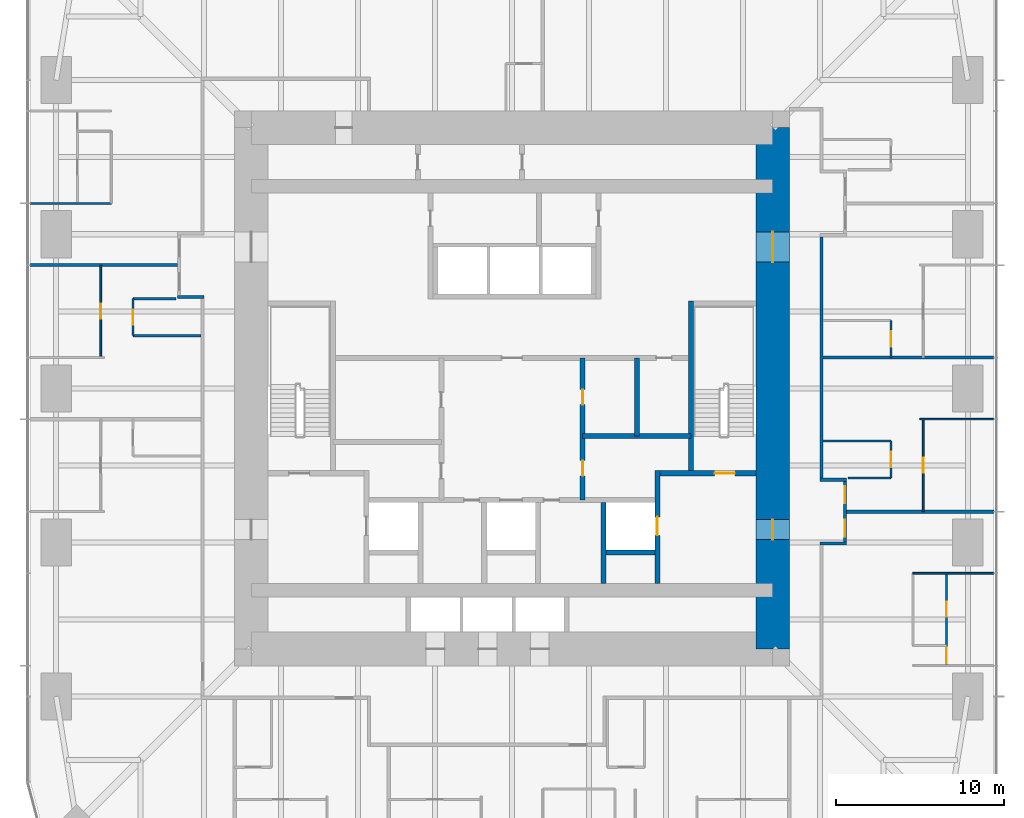
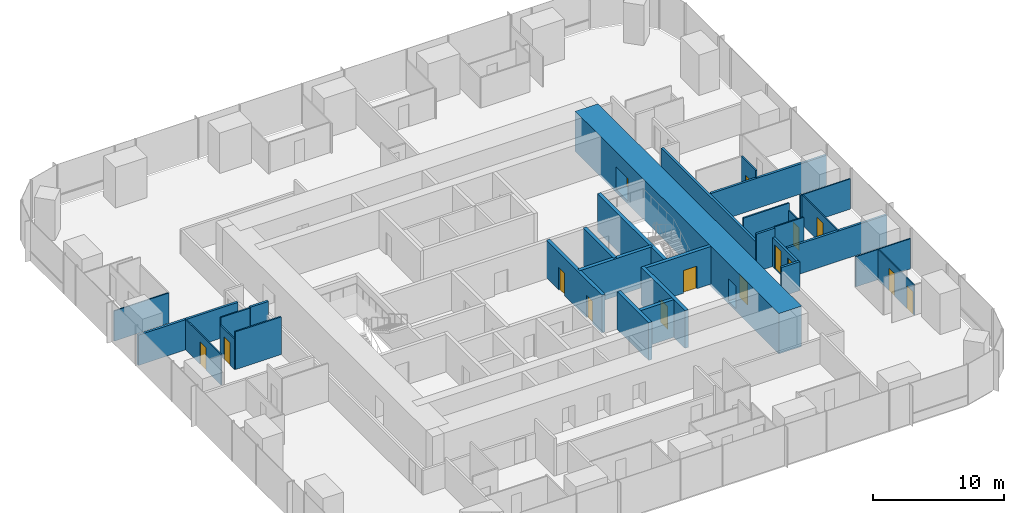
# One storey, part 10 of 13: 30 walls, 15 doors, 15 openings.
"""IFC4 building model written with IfcOpenShell, lengths in metres."""

from ifc_helpers import new_model, si_unit, direction, frame, frame_2d, origin, place, context, subcontext, project, spatial, rectangle, extrude, material, layer, layer_set, type_object, element, fill, save


model = new_model("IFC4")

# Units and contexts
model_context = context("Model", 3, precision=1e-05, world=origin(), true_north=direction((0.0, 1.0)))
body_context = subcontext(model_context, "Body", "Model", "MODEL_VIEW")
ifc_project = project(units=[si_unit("LENGTHUNIT", "METRE"), si_unit("AREAUNIT", "SQUARE_METRE"), si_unit("VOLUMEUNIT", "CUBIC_METRE"), si_unit("PLANEANGLEUNIT", "RADIAN"), si_unit("MASSUNIT", "GRAM", prefix="KILO")], contexts=[model_context])

# Site, building, storey
site_placement = place(None, origin())
site = spatial("IfcSite", under=ifc_project, at=site_placement, CompositionType="ELEMENT")
building_placement = place(site_placement, origin())
building = spatial("IfcBuilding", under=site, at=building_placement, Name="Khuree Lantern Residences", CompositionType="ELEMENT")
storey_placement = place(building_placement, frame((0.0, 0.0, 141.0)))
storey = spatial("IfcBuildingStorey", under=building, at=storey_placement, Name="L35", CompositionType="ELEMENT", Elevation=141.0)

# Wall, opening, door
ifc_material_1 = material(Name="Moisture-resistant gypsum board on steel studs", Category="steel")
ifc_layer_1 = layer(ifc_material_1, 0.125)
ifc_layer_set_1 = layer_set([ifc_layer_1], Name="BATHROOM WALL BTW125")
wall_type_1 = type_object("IfcWallType", Name="BATHROOM WALL BTW125", PredefinedType="PARTITIONING", material=ifc_layer_set_1)
wall_1_placement = place(storey_placement, frame((22.52978515625, -5.327880859375, 0.0), z_axis=(0.0, 0.0, 1.0), x_axis=(0.0, 1.0, 0.0)))
wall_1 = element("IfcWall", 1, at=wall_1_placement, inside=storey, type_object=wall_type_1, Name="L35 BATHROOM WALL 01", PredefinedType="PARTITIONING", context=body_context, shape_type="SweptSolid", body=[
    extrude(rectangle(XDim=2.199951171875, YDim=0.125, at=frame_2d((1.10009765625, 0.0))), origin(), (0.0, 0.0, 1.0), 2.81005859375),
])
opening_1_placement = place(wall_1_placement, frame((0.64990234375, 0.0, 0.0)))
opening_1 = element("IfcOpeningElement", 2, at=opening_1_placement, cuts=wall_1, Name="Opening 35-027", PredefinedType="OPENING", context=body_context, shape_type="SweptSolid", body=[
    extrude(rectangle(XDim=0.89990234375, YDim=2.10009765625, at=frame_2d((0.449951171875, 1.050048828125))), frame((0.0, 0.072509765625, 0.0), z_axis=(0.0, -1.0, 0.0), x_axis=(1.0, 0.0, 0.0)), (0.0, 0.0, 1.0), 0.14501953125),
])
ifc_material_2 = material(Name="Timber door leaf in hardwood frame", Category="wood")
door_type_1 = type_object("IfcDoorType", Name="BATHROOM DOOR 900X2100", OperationType="SINGLE_SWING_LEFT", PredefinedType="DOOR", material=ifc_material_2)
door_1_placement = place(opening_1_placement, origin())
door_1 = element("IfcDoor", 3, at=door_1_placement, inside=storey, type_object=door_type_1, Name="Bathroom door 35-027", OperationType="SINGLE_SWING_LEFT", OverallHeight=2.10009765625, OverallWidth=0.89990234375, PredefinedType="DOOR", context=body_context, shape_type="SweptSolid", body=[
    extrude(rectangle(XDim=0.89990234375, YDim=2.10009765625, at=frame_2d((0.449951171875, 1.050048828125))), frame((0.0, 0.02490234375, 0.0), z_axis=(0.0, -1.0, 0.0), x_axis=(1.0, 0.0, 0.0)), (0.0, 0.0, 1.0), 0.050048828125),
])
fill(opening_1, door_1)

# Walls
wall_2_placement = place(storey_placement, frame((19.969970703125, -5.327880859375, 0.0), z_axis=(0.0, 0.0, 1.0), x_axis=(1.0, 0.0, 0.0)))
element("IfcWall", 4, at=wall_2_placement, inside=storey, type_object=wall_type_1, Name="L35 BATHROOM WALL 01", PredefinedType="PARTITIONING", context=body_context, shape_type="SweptSolid", body=[
    extrude(rectangle(XDim=2.559814453125, YDim=0.125, at=frame_2d((1.27978515625, 0.0))), origin(), (0.0, 0.0, 1.0), 3.5),
])
wall_3_placement = place(storey_placement, frame((18.5, -3.1279296875, 0.0), z_axis=(0.0, 0.0, 1.0), x_axis=(1.0, 0.0, 0.0)))
element("IfcWall", 5, at=wall_3_placement, inside=storey, type_object=wall_type_1, Name="L35 BATHROOM WALL 01", PredefinedType="PARTITIONING", context=body_context, shape_type="SweptSolid", body=[
    extrude(rectangle(XDim=4.02978515625, YDim=0.125, at=frame_2d((2.014892578125, 0.0))), origin(), (0.0, 0.0, 1.0), 3.5),
])

# Wall, opening, door
wall_4_placement = place(storey_placement, frame((22.52978515625, 1.83203125, 0.0), z_axis=(0.0, 0.0, 1.0), x_axis=(0.0, 1.0, 0.0)))
wall_4 = element("IfcWall", 6, at=wall_4_placement, inside=storey, type_object=wall_type_1, Name="L35 BATHROOM WALL 02", PredefinedType="PARTITIONING", context=body_context, shape_type="SweptSolid", body=[
    extrude(rectangle(XDim=2.199951171875, YDim=0.125, at=frame_2d((1.10009765625, 0.0))), origin(), (0.0, 0.0, 1.0), 3.5),
])
opening_2_placement = place(wall_4_placement, frame((0.64990234375, 0.0, 0.0)))
opening_2 = element("IfcOpeningElement", 7, at=opening_2_placement, cuts=wall_4, Name="Opening 35-030", PredefinedType="OPENING", context=body_context, shape_type="SweptSolid", body=[
    extrude(rectangle(XDim=0.89990234375, YDim=2.10009765625, at=frame_2d((0.449951171875, 1.050048828125))), frame((0.0, 0.072509765625, 0.0), z_axis=(0.0, -1.0, 0.0), x_axis=(1.0, 0.0, 0.0)), (0.0, 0.0, 1.0), 0.14501953125),
])
door_2_placement = place(opening_2_placement, origin())
door_2 = element("IfcDoor", 8, at=door_2_placement, inside=storey, type_object=door_type_1, Name="Bathroom door 35-030", OperationType="SINGLE_SWING_LEFT", OverallHeight=2.10009765625, OverallWidth=0.89990234375, PredefinedType="DOOR", context=body_context, shape_type="SweptSolid", body=[
    extrude(rectangle(XDim=0.89990234375, YDim=2.10009765625, at=frame_2d((0.449951171875, 1.050048828125))), frame((0.0, 0.02490234375, 0.0), z_axis=(0.0, -1.0, 0.0), x_axis=(1.0, 0.0, 0.0)), (0.0, 0.0, 1.0), 0.050048828125),
])
fill(opening_2, door_2)

wall_5_placement = place(storey_placement, frame((-22.52978515625, 5.327880859375, 0.0), z_axis=(0.0, 0.0, 1.0), x_axis=(0.0, -1.0, 0.0)))
wall_5 = element("IfcWall", 9, at=wall_5_placement, inside=storey, type_object=wall_type_1, Name="L35 BATHROOM WALL 05", PredefinedType="PARTITIONING", context=body_context, shape_type="SweptSolid", body=[
    extrude(rectangle(XDim=2.199951171875, YDim=0.125, at=frame_2d((1.10009765625, 0.0))), origin(), (0.0, 0.0, 1.0), 2.81005859375),
])
opening_3_placement = place(wall_5_placement, frame((0.64990234375, 0.0, 0.0)))
opening_3 = element("IfcOpeningElement", 10, at=opening_3_placement, cuts=wall_5, Name="Opening 35-043", PredefinedType="OPENING", context=body_context, shape_type="SweptSolid", body=[
    extrude(rectangle(XDim=0.89990234375, YDim=2.10009765625, at=frame_2d((0.449951171875, 1.050048828125))), frame((0.0, 0.072509765625, 0.0), z_axis=(0.0, -1.0, 0.0), x_axis=(1.0, 0.0, 0.0)), (0.0, 0.0, 1.0), 0.14501953125),
])
door_3_placement = place(opening_3_placement, origin())
door_3 = element("IfcDoor", 11, at=door_3_placement, inside=storey, type_object=door_type_1, Name="Bathroom door 35-043", OperationType="SINGLE_SWING_LEFT", OverallHeight=2.10009765625, OverallWidth=0.89990234375, PredefinedType="DOOR", context=body_context, shape_type="SweptSolid", body=[
    extrude(rectangle(XDim=0.89990234375, YDim=2.10009765625, at=frame_2d((0.449951171875, 1.050048828125))), frame((0.0, 0.02490234375, 0.0), z_axis=(0.0, -1.0, 0.0), x_axis=(1.0, 0.0, 0.0)), (0.0, 0.0, 1.0), 0.050048828125),
])
fill(opening_3, door_3)

# Walls
wall_6_placement = place(storey_placement, frame((-19.969970703125, 5.327880859375, 0.0), z_axis=(0.0, 0.0, 1.0), x_axis=(-1.0, 0.0, 0.0)))
element("IfcWall", 12, at=wall_6_placement, inside=storey, type_object=wall_type_1, Name="L35 BATHROOM WALL 05", PredefinedType="PARTITIONING", context=body_context, shape_type="SweptSolid", body=[
    extrude(rectangle(XDim=2.559814453125, YDim=0.125, at=frame_2d((1.27978515625, 0.0))), origin(), (0.0, 0.0, 1.0), 3.5),
])
wall_7_placement = place(storey_placement, frame((-18.5, 3.1279296875, 0.0), z_axis=(0.0, 0.0, 1.0), x_axis=(-1.0, 0.0, 0.0)))
element("IfcWall", 13, at=wall_7_placement, inside=storey, type_object=wall_type_1, Name="L35 BATHROOM WALL 05", PredefinedType="PARTITIONING", context=body_context, shape_type="SweptSolid", body=[
    extrude(rectangle(XDim=4.02978515625, YDim=0.125, at=frame_2d((2.014892578125, 0.0))), origin(), (0.0, 0.0, 1.0), 3.5),
])

# Wall, opening, door
ifc_material_3 = material(Name="Dense concrete blockwork", Category="masonry")
ifc_layer_2 = layer(ifc_material_3, 0.300048828125)
ifc_layer_set_2 = layer_set([ifc_layer_2], Name="CORE PARTITION WALL CPW300 EI 120")
wall_type_2 = type_object("IfcWallType", Name="CORE PARTITION WALL CPW300 EI 120", PredefinedType="PARTITIONING", material=ifc_layer_set_2)
wall_8_placement = place(storey_placement, frame((8.64990234375, -11.60009765625, 0.0), z_axis=(0.0, 0.0, 1.0), x_axis=(0.0, 1.0, 0.0)))
wall_8 = element("IfcWall", 14, at=wall_8_placement, inside=storey, type_object=wall_type_2, Name="L35 CORE WALL FL2E", PredefinedType="PARTITIONING", context=body_context, shape_type="SweptSolid", body=[
    extrude(rectangle(XDim=6.7001953125, YDim=0.300048828125, at=frame_2d((3.35009765625, 0.0))), origin(), (0.0, 0.0, 1.0), 3.5),
])
opening_4_placement = place(wall_8_placement, frame((2.85009765625, 0.0, 0.0)))
opening_4 = element("IfcOpeningElement", 15, at=opening_4_placement, cuts=wall_8, Name="Opening 35-008", PredefinedType="OPENING", context=body_context, shape_type="SweptSolid", body=[
    extrude(rectangle(XDim=1.10009765625, YDim=2.10009765625, at=frame_2d((0.550048828125, 1.050048828125))), frame((0.0, 0.16015625, 0.0), z_axis=(0.0, -1.0, 0.0), x_axis=(1.0, 0.0, 0.0)), (0.0, 0.0, 1.0), 0.320068359375),
])
ifc_material_4 = material(Name="Stainless steel lift landing door", Category="steel")
door_type_2 = type_object("IfcDoorType", Name="LIFT LANDING DOOR 1100X2100 E 120", OperationType="DOUBLE_DOOR_SLIDING", PredefinedType="DOOR", material=ifc_material_4)
door_4_placement = place(opening_4_placement, origin())
door_4 = element("IfcDoor", 16, at=door_4_placement, inside=storey, type_object=door_type_2, Name="Landing door FL2 35-008", OperationType="DOUBLE_DOOR_SLIDING", OverallHeight=2.10009765625, OverallWidth=1.10009765625, PredefinedType="DOOR", context=body_context, shape_type="SweptSolid", body=[
    extrude(rectangle(XDim=1.10009765625, YDim=2.10009765625, at=frame_2d((0.550048828125, 1.050048828125))), frame((0.0, 0.02490234375, 0.0), z_axis=(0.0, -1.0, 0.0), x_axis=(1.0, 0.0, 0.0)), (0.0, 0.0, 1.0), 0.050048828125),
])
fill(opening_4, door_4)

# Walls
wall_9_placement = place(storey_placement, frame((5.449951171875, -11.60009765625, 0.0), z_axis=(0.0, 0.0, 1.0), x_axis=(0.0, 1.0, 0.0)))
element("IfcWall", 17, at=wall_9_placement, inside=storey, type_object=wall_type_2, Name="L35 CORE WALL FL2W", PredefinedType="PARTITIONING", context=body_context, shape_type="SweptSolid", body=[
    extrude(rectangle(XDim=4.800048828125, YDim=0.300048828125, at=frame_2d((2.39990234375, 0.0))), origin(), (0.0, 0.0, 1.0), 3.5),
])
wall_10_placement = place(storey_placement, frame((5.60009765625, -9.75, 0.0), z_axis=(0.0, 0.0, 1.0), x_axis=(1.0, 0.0, 0.0)))
element("IfcWall", 18, at=wall_10_placement, inside=storey, type_object=wall_type_2, Name="L35 CORE WALL FL2S", PredefinedType="PARTITIONING", context=body_context, shape_type="SweptSolid", body=[
    extrude(rectangle(XDim=2.89990234375, YDim=0.300048828125, at=frame_2d((1.449951171875, 0.0))), origin(), (0.0, 0.0, 1.0), 3.5),
])

# Wall, openings, doors
wall_11_placement = place(storey_placement, frame((4.199951171875, -6.64990234375, 0.0), z_axis=(0.0, 0.0, 1.0), x_axis=(0.0, 1.0, 0.0)))
wall_11 = element("IfcWall", 19, at=wall_11_placement, inside=storey, type_object=wall_type_2, Name="L35 CORE WALL SVE", PredefinedType="PARTITIONING", context=body_context, shape_type="SweptSolid", body=[
    extrude(rectangle(XDim=8.449951171875, YDim=0.300048828125, at=frame_2d((4.22509765625, 0.0))), origin(), (0.0, 0.0, 1.0), 3.5),
])
opening_5_placement = place(wall_11_placement, frame((1.450927734375, 0.0, 0.0)))
opening_5 = element("IfcOpeningElement", 20, at=opening_5_placement, cuts=wall_11, Name="Opening 35-018", PredefinedType="OPENING", context=body_context, shape_type="SweptSolid", body=[
    extrude(rectangle(XDim=0.89990234375, YDim=2.10009765625, at=frame_2d((0.449951171875, 1.050048828125))), frame((0.0, 0.16015625, 0.0), z_axis=(0.0, -1.0, 0.0), x_axis=(1.0, 0.0, 0.0)), (0.0, 0.0, 1.0), 0.320068359375),
])
opening_6_placement = place(wall_11_placement, frame((5.676025390625, 0.0, 0.0)))
opening_6 = element("IfcOpeningElement", 21, at=opening_6_placement, cuts=wall_11, Name="Opening 35-019", PredefinedType="OPENING", context=body_context, shape_type="SweptSolid", body=[
    extrude(rectangle(XDim=0.89990234375, YDim=2.10009765625, at=frame_2d((0.449951171875, 1.050048828125))), frame((0.0, 0.16015625, 0.0), z_axis=(0.0, -1.0, 0.0), x_axis=(1.0, 0.0, 0.0)), (0.0, 0.0, 1.0), 0.320068359375),
])
door_type_3 = type_object("IfcDoorType", Name="DOOR 900X2100", OperationType="SINGLE_SWING_LEFT", PredefinedType="DOOR", material=ifc_material_2)
door_5_placement = place(opening_5_placement, origin())
door_5 = element("IfcDoor", 22, at=door_5_placement, inside=storey, type_object=door_type_3, Name="Bulky waste store door 35-018", OperationType="SINGLE_SWING_LEFT", OverallHeight=2.10009765625, OverallWidth=0.89990234375, PredefinedType="DOOR", context=body_context, shape_type="SweptSolid", body=[
    extrude(rectangle(XDim=0.89990234375, YDim=2.10009765625, at=frame_2d((0.449951171875, 1.050048828125))), frame((0.0, 0.02490234375, 0.0), z_axis=(0.0, -1.0, 0.0), x_axis=(1.0, 0.0, 0.0)), (0.0, 0.0, 1.0), 0.050048828125),
])
fill(opening_5, door_5)
door_type_4 = type_object("IfcDoorType", Name="DOOR 900X2100 RIGHT HAND", OperationType="SINGLE_SWING_RIGHT", PredefinedType="DOOR", material=ifc_material_2)
door_6_placement = place(opening_6_placement, origin())
door_6 = element("IfcDoor", 23, at=door_6_placement, inside=storey, type_object=door_type_4, Name="Refuse holding room door 35-019", OperationType="SINGLE_SWING_RIGHT", OverallHeight=2.10009765625, OverallWidth=0.89990234375, PredefinedType="DOOR", context=body_context, shape_type="SweptSolid", body=[
    extrude(rectangle(XDim=0.89990234375, YDim=2.10009765625, at=frame_2d((0.449951171875, 1.050048828125))), frame((0.0, 0.02490234375, 0.0), z_axis=(0.0, -1.0, 0.0), x_axis=(1.0, 0.0, 0.0)), (0.0, 0.0, 1.0), 0.050048828125),
])
fill(opening_6, door_6)

# Walls
wall_12_placement = place(storey_placement, frame((10.64990234375, -2.847900390625, 0.0), z_axis=(0.0, 0.0, 1.0), x_axis=(-1.0, 0.0, 0.0)))
element("IfcWall", 24, at=wall_12_placement, inside=storey, type_object=wall_type_2, Name="L35 CORE WALL EX", PredefinedType="PARTITIONING", context=body_context, shape_type="SweptSolid", body=[
    extrude(rectangle(XDim=6.449951171875, YDim=0.300048828125, at=frame_2d((3.22509765625, 0.0))), origin(), (0.0, 0.0, 1.0), 3.5),
])
wall_13_placement = place(storey_placement, frame((7.425048828125, -2.847900390625, 0.0), z_axis=(0.0, 0.0, 1.0), x_axis=(0.0, 1.0, 0.0)))
element("IfcWall", 25, at=wall_13_placement, inside=storey, type_object=wall_type_2, Name="L35 CORE WALL EV", PredefinedType="PARTITIONING", context=body_context, shape_type="SweptSolid", body=[
    extrude(rectangle(XDim=4.64794921875, YDim=0.300048828125, at=frame_2d((2.323974609375, 0.0))), origin(), (0.0, 0.0, 1.0), 3.5),
])
ifc_material_5 = material(Name="Gypsum board on steel studs", Category="steel")
ifc_layer_3 = layer(ifc_material_5, 0.199951171875)
ifc_layer_set_3 = layer_set([ifc_layer_3], Name="CORRIDOR WALL CRW200 EI 60")
wall_type_3 = type_object("IfcWallType", Name="CORRIDOR WALL CRW200 EI 60", PredefinedType="PARTITIONING", material=ifc_layer_set_3)
wall_14_placement = place(storey_placement, frame((18.300048828125, -9.22802734375, 0.0), z_axis=(0.0, 0.0, 1.0), x_axis=(1.0, 0.0, 0.0)))
element("IfcWall", 26, at=wall_14_placement, inside=storey, type_object=wall_type_3, Name="L35 CORRIDOR ALCOVE WALL EAST", PredefinedType="PARTITIONING", context=body_context, shape_type="SweptSolid", body=[
    extrude(rectangle(XDim=1.599853515625, YDim=0.199951171875, at=frame_2d((0.7998046875, 0.0))), origin(), (0.0, 0.0, 1.0), 2.699951171875),
])
wall_15_placement = place(storey_placement, frame((18.300048828125, -5.427978515625, 0.0), z_axis=(0.0, 0.0, 1.0), x_axis=(1.0, 0.0, 0.0)))
element("IfcWall", 27, at=wall_15_placement, inside=storey, type_object=wall_type_3, Name="L35 CORRIDOR ALCOVE WALL EAST", PredefinedType="PARTITIONING", context=body_context, shape_type="SweptSolid", body=[
    extrude(rectangle(XDim=1.599853515625, YDim=0.199951171875, at=frame_2d((0.7998046875, 0.0))), origin(), (0.0, 0.0, 1.0), 3.5),
])

# Wall, openings, doors
wall_16_placement = place(storey_placement, frame((19.800048828125, -9.1279296875, 0.0), z_axis=(0.0, 0.0, 1.0), x_axis=(0.0, 1.0, 0.0)))
wall_16 = element("IfcWall", 28, at=wall_16_placement, inside=storey, type_object=wall_type_3, Name="L35 CORRIDOR ALCOVE WALL EAST", PredefinedType="PARTITIONING", context=body_context, shape_type="SweptSolid", body=[
    extrude(rectangle(XDim=3.599853515625, YDim=0.199951171875, at=frame_2d((1.7998046875, 0.0))), origin(), (0.0, 0.0, 1.0), 2.699951171875),
])
opening_7_placement = place(wall_16_placement, frame((2.300048828125, 0.0, 0.0)))
opening_7 = element("IfcOpeningElement", 29, at=opening_7_placement, cuts=wall_16, Name="Opening 35-028", PredefinedType="OPENING", context=body_context, shape_type="SweptSolid", body=[
    extrude(rectangle(XDim=1.0, YDim=2.199951171875, at=frame_2d((0.5, 1.10009765625))), frame((0.0, 0.10986328125, 0.0), z_axis=(0.0, -1.0, 0.0), x_axis=(1.0, 0.0, 0.0)), (0.0, 0.0, 1.0), 0.219970703125),
])
opening_8_placement = place(wall_16_placement, frame((0.300048828125, 0.0, 0.0)))
opening_8 = element("IfcOpeningElement", 30, at=opening_8_placement, cuts=wall_16, Name="Opening 35-059", PredefinedType="OPENING", context=body_context, shape_type="SweptSolid", body=[
    extrude(rectangle(XDim=1.0, YDim=2.199951171875, at=frame_2d((0.5, 1.10009765625))), frame((0.0, 0.10986328125, 0.0), z_axis=(0.0, -1.0, 0.0), x_axis=(1.0, 0.0, 0.0)), (0.0, 0.0, 1.0), 0.219970703125),
])
door_type_5 = type_object("IfcDoorType", Name="APARTMENT ENTRANCE DOOR 1000X2200 EI 30S", OperationType="SINGLE_SWING_LEFT", PredefinedType="DOOR", material=ifc_material_2)
door_7_placement = place(opening_8_placement, origin())
door_7 = element("IfcDoor", 31, at=door_7_placement, inside=storey, type_object=door_type_5, Name="Apartment 09 entrance door 35-059", OperationType="SINGLE_SWING_LEFT", OverallHeight=2.199951171875, OverallWidth=1.0, PredefinedType="DOOR", context=body_context, shape_type="SweptSolid", body=[
    extrude(rectangle(XDim=1.0, YDim=2.199951171875, at=frame_2d((0.5, 1.10009765625))), frame((0.0, 0.02490234375, 0.0), z_axis=(0.0, -1.0, 0.0), x_axis=(1.0, 0.0, 0.0)), (0.0, 0.0, 1.0), 0.050048828125),
])
fill(opening_8, door_7)
door_type_6 = type_object("IfcDoorType", Name="APARTMENT ENTRANCE DOOR 1000X2200 EI 30S RIGHT HAND", OperationType="SINGLE_SWING_RIGHT", PredefinedType="DOOR", material=ifc_material_2)
door_8_placement = place(opening_7_placement, origin())
door_8 = element("IfcDoor", 32, at=door_8_placement, inside=storey, type_object=door_type_6, Name="Apartment 01 entrance door 35-028", OperationType="SINGLE_SWING_RIGHT", OverallHeight=2.199951171875, OverallWidth=1.0, PredefinedType="DOOR", context=body_context, shape_type="SweptSolid", body=[
    extrude(rectangle(XDim=1.0, YDim=2.199951171875, at=frame_2d((0.5, 1.10009765625))), frame((0.0, 0.02490234375, 0.0), z_axis=(0.0, -1.0, 0.0), x_axis=(1.0, 0.0, 0.0)), (0.0, 0.0, 1.0), 0.050048828125),
])
fill(opening_7, door_8)

# Walls
wall_17_placement = place(storey_placement, frame((18.39990234375, -5.327880859375, 0.0), z_axis=(0.0, 0.0, 1.0), x_axis=(0.0, 1.0, 0.0)))
element("IfcWall", 33, at=wall_17_placement, inside=storey, type_object=wall_type_3, Name="L35 CORRIDOR WALL EAST 2", PredefinedType="PARTITIONING", context=body_context, shape_type="SweptSolid", body=[
    extrude(rectangle(XDim=14.31982421875, YDim=0.199951171875, at=frame_2d((7.159912109375, 0.0))), origin(), (0.0, 0.0, 1.0), 2.699951171875),
])
wall_18_placement = place(storey_placement, frame((-18.300048828125, 5.427978515625, 0.0), z_axis=(0.0, 0.0, 1.0), x_axis=(-1.0, 0.0, 0.0)))
element("IfcWall", 34, at=wall_18_placement, inside=storey, type_object=wall_type_3, Name="L35 CORRIDOR ALCOVE WALL WEST", PredefinedType="PARTITIONING", context=body_context, shape_type="SweptSolid", body=[
    extrude(rectangle(XDim=1.599853515625, YDim=0.199951171875, at=frame_2d((0.7998046875, 0.0))), origin(), (0.0, 0.0, 1.0), 3.5),
])

# Wall, openings, doors
ifc_material_6 = material(Name="Concrete C70/85", Category="concrete")
ifc_layer_4 = layer(ifc_material_6, 2.0)
ifc_layer_set_4 = layer_set([ifc_layer_4], Name="CW2000-C70 CORE WALL C70 2000")
wall_type_4 = type_object("IfcWallType", Name="CW2000-C70 CORE WALL C70 2000", PredefinedType="SHEAR", material=ifc_layer_set_4)
wall_19_placement = place(storey_placement, frame((15.5, -15.5, -0.25), z_axis=(0.0, 0.0, 1.0), x_axis=(0.0, 1.0, 0.0)))
wall_19 = element("IfcWall", 35, at=wall_19_placement, inside=storey, type_object=wall_type_4, Name="Core wall E", PredefinedType="SHEAR", context=body_context, shape_type="SweptSolid", body=[
    extrude(rectangle(XDim=31.0, YDim=2.0, at=frame_2d((15.5, 0.0))), origin(), (0.0, 0.0, 1.0), 3.75),
])
opening_9_placement = place(wall_19_placement, frame((6.5, 0.0, 0.25)))
opening_9 = element("IfcOpeningElement", 36, at=opening_9_placement, cuts=wall_19, Name="Opening 35-005", PredefinedType="OPENING", context=body_context, shape_type="SweptSolid", body=[
    extrude(rectangle(XDim=1.199951171875, YDim=2.10009765625, at=frame_2d((0.60009765625, 1.050048828125))), frame((0.0, 1.010009765625, 0.0), z_axis=(0.0, -1.0, 0.0), x_axis=(1.0, 0.0, 0.0)), (0.0, 0.0, 1.0), 2.02001953125),
])
opening_10_placement = place(wall_19_placement, frame((23.0, 0.0, 0.25)))
opening_10 = element("IfcOpeningElement", 37, at=opening_10_placement, cuts=wall_19, Name="Opening 35-006", PredefinedType="OPENING", context=body_context, shape_type="SweptSolid", body=[
    extrude(rectangle(XDim=1.800048828125, YDim=2.10009765625, at=frame_2d((0.89990234375, 1.050048828125))), frame((0.0, 1.010009765625, 0.0), z_axis=(0.0, -1.0, 0.0), x_axis=(1.0, 0.0, 0.0)), (0.0, 0.0, 1.0), 2.02001953125),
])
ifc_material_7 = material(Name="Steel door leaf in steel frame", Category="steel")
door_type_7 = type_object("IfcDoorType", Name="LOBBY DOOR 1200X2100 EI 120", OperationType="SINGLE_SWING_LEFT", PredefinedType="DOOR", material=ifc_material_7)
door_9_placement = place(opening_9_placement, origin())
door_9 = element("IfcDoor", 38, at=door_9_placement, inside=storey, type_object=door_type_7, Name="Firefighting lobby door 35-005", OperationType="SINGLE_SWING_LEFT", OverallHeight=2.10009765625, OverallWidth=1.199951171875, PredefinedType="DOOR", context=body_context, shape_type="SweptSolid", body=[
    extrude(rectangle(XDim=1.199951171875, YDim=2.10009765625, at=frame_2d((0.60009765625, 1.050048828125))), frame((0.0, 0.02490234375, 0.0), z_axis=(0.0, -1.0, 0.0), x_axis=(1.0, 0.0, 0.0)), (0.0, 0.0, 1.0), 0.050048828125),
])
fill(opening_9, door_9)
door_type_8 = type_object("IfcDoorType", Name="LOBBY DOUBLE DOOR 1800X2100 EI 60", OperationType="DOUBLE_DOOR_SINGLE_SWING", PredefinedType="DOOR", material=ifc_material_7)
door_10_placement = place(opening_10_placement, origin())
door_10 = element("IfcDoor", 39, at=door_10_placement, inside=storey, type_object=door_type_8, Name="Lift lobby door 35-006", OperationType="DOUBLE_DOOR_SINGLE_SWING", OverallHeight=2.10009765625, OverallWidth=1.800048828125, PredefinedType="DOOR", context=body_context, shape_type="SweptSolid", body=[
    extrude(rectangle(XDim=1.800048828125, YDim=2.10009765625, at=frame_2d((0.89990234375, 1.050048828125))), frame((0.0, 0.02490234375, 0.0), z_axis=(0.0, -1.0, 0.0), x_axis=(1.0, 0.0, 0.0)), (0.0, 0.0, 1.0), 0.050048828125),
])
fill(opening_10, door_10)

# Walls
ifc_layer_5 = layer(ifc_material_5, 0.199951171875)
ifc_layer_set_5 = layer_set([ifc_layer_5], Name="DEMISING WALL DMW200 EI 90")
wall_type_5 = type_object("IfcWallType", Name="DEMISING WALL DMW200 EI 90", PredefinedType="PARTITIONING", material=ifc_layer_set_5)
wall_20_placement = place(storey_placement, frame((19.89990234375, -7.327880859375, 0.0), z_axis=(0.0, 0.0, 1.0), x_axis=(1.0, 0.0, 0.0)))
element("IfcWall", 40, at=wall_20_placement, inside=storey, type_object=wall_type_5, Name="L35 DEMISING WALL 01", PredefinedType="PARTITIONING", context=body_context, shape_type="SweptSolid", body=[
    extrude(rectangle(XDim=8.75, YDim=0.199951171875, at=frame_2d((4.375, 0.0))), origin(), (0.0, 0.0, 1.0), 2.81005859375),
])
wall_21_placement = place(storey_placement, frame((18.5, 1.83203125, 0.0), z_axis=(0.0, 0.0, 1.0), x_axis=(1.0, 0.0, 0.0)))
element("IfcWall", 41, at=wall_21_placement, inside=storey, type_object=wall_type_5, Name="L35 DEMISING WALL 02", PredefinedType="PARTITIONING", context=body_context, shape_type="SweptSolid", body=[
    extrude(rectangle(XDim=10.14990234375, YDim=0.199951171875, at=frame_2d((5.074951171875, 0.0))), origin(), (0.0, 0.0, 1.0), 2.81005859375),
])
wall_22_placement = place(storey_placement, frame((-19.89990234375, 7.327880859375, 0.0), z_axis=(0.0, 0.0, 1.0), x_axis=(-1.0, 0.0, 0.0)))
element("IfcWall", 42, at=wall_22_placement, inside=storey, type_object=wall_type_5, Name="L35 DEMISING WALL 05", PredefinedType="PARTITIONING", context=body_context, shape_type="SweptSolid", body=[
    extrude(rectangle(XDim=8.75, YDim=0.199951171875, at=frame_2d((4.375, 0.0))), origin(), (0.0, 0.0, 1.0), 2.81005859375),
])
ifc_layer_6 = layer(ifc_material_5, 0.10009765625)
ifc_layer_set_6 = layer_set([ifc_layer_6], Name="PARTITION PT100")
wall_type_6 = type_object("IfcWallType", Name="PARTITION PT100", PredefinedType="PARTITIONING", material=ifc_layer_set_6)
wall_23_placement = place(storey_placement, frame((24.25, -1.83203125, 0.0), z_axis=(0.0, 0.0, 1.0), x_axis=(1.0, 0.0, 0.0)))
element("IfcWall", 43, at=wall_23_placement, inside=storey, type_object=wall_type_6, Name="L35 PARTITION 01", PredefinedType="PARTITIONING", context=body_context, shape_type="SweptSolid", body=[
    extrude(rectangle(XDim=4.39990234375, YDim=0.10009765625, at=frame_2d((2.199951171875, 0.0))), origin(), (0.0, 0.0, 1.0), 2.81005859375),
])
for number, where, z_axis, x_axis, name in (
    (44, (-23.829833984375, 10.991943359375, 0.0), (0.0, 0.0, 1.0), (-1.0, 0.0, 0.0), "L35 PARTITION 04"),
    (45, (23.829833984375, -10.991943359375, 0.0), (0.0, 0.0, 1.0), (1.0, 0.0, 0.0), "L35 PARTITION 09"),
):
    element("IfcWall", number, at=place(storey_placement, frame(where, z_axis=z_axis, x_axis=x_axis)), inside=storey, type_object=wall_type_6, Name=name, PredefinedType="PARTITIONING", context=body_context, shape_type="SweptSolid", body=[
        extrude(rectangle(XDim=4.820068359375, YDim=0.10009765625, at=frame_2d((2.41015625, 0.0))), origin(), (0.0, 0.0, 1.0), 2.81005859375),
    ])

# Wall, opening, door
wall_24_placement = place(storey_placement, frame((24.449951171875, -7.327880859375, 0.0), z_axis=(0.0, 0.0, 1.0), x_axis=(0.0, 1.0, 0.0)))
wall_24 = element("IfcWall", 46, at=wall_24_placement, inside=storey, type_object=wall_type_6, Name="L35 PARTITION 01", PredefinedType="PARTITIONING", context=body_context, shape_type="SweptSolid", body=[
    extrude(rectangle(XDim=5.495849609375, YDim=0.10009765625, at=frame_2d((2.748046875, 0.0))), origin(), (0.0, 0.0, 1.0), 2.81005859375),
])
opening_11_placement = place(wall_24_placement, frame((2.298095703125, 0.0, 0.0)))
opening_11 = element("IfcOpeningElement", 47, at=opening_11_placement, cuts=wall_24, Name="Opening 35-026", PredefinedType="OPENING", context=body_context, shape_type="SweptSolid", body=[
    extrude(rectangle(XDim=0.89990234375, YDim=2.10009765625, at=frame_2d((0.449951171875, 1.050048828125))), frame((0.0, 0.06005859375, 0.0), z_axis=(0.0, -1.0, 0.0), x_axis=(1.0, 0.0, 0.0)), (0.0, 0.0, 1.0), 0.1201171875),
])
door_type_9 = type_object("IfcDoorType", Name="BEDROOM DOOR 900X2100", OperationType="SINGLE_SWING_LEFT", PredefinedType="DOOR", material=ifc_material_2)
door_11_placement = place(opening_11_placement, origin())
door_11 = element("IfcDoor", 48, at=door_11_placement, inside=storey, type_object=door_type_9, Name="Bedroom door 35-026", OperationType="SINGLE_SWING_LEFT", OverallHeight=2.10009765625, OverallWidth=0.89990234375, PredefinedType="DOOR", context=body_context, shape_type="SweptSolid", body=[
    extrude(rectangle(XDim=0.89990234375, YDim=2.10009765625, at=frame_2d((0.449951171875, 1.050048828125))), frame((0.0, 0.02490234375, 0.0), z_axis=(0.0, -1.0, 0.0), x_axis=(1.0, 0.0, 0.0)), (0.0, 0.0, 1.0), 0.050048828125),
])
fill(opening_11, door_11)

wall_25_placement = place(storey_placement, frame((-24.449951171875, 7.327880859375, 0.0), z_axis=(0.0, 0.0, 1.0), x_axis=(0.0, -1.0, 0.0)))
wall_25 = element("IfcWall", 49, at=wall_25_placement, inside=storey, type_object=wall_type_6, Name="L35 PARTITION 05", PredefinedType="PARTITIONING", context=body_context, shape_type="SweptSolid", body=[
    extrude(rectangle(XDim=5.495849609375, YDim=0.10009765625, at=frame_2d((2.748046875, 0.0))), origin(), (0.0, 0.0, 1.0), 2.81005859375),
])
opening_12_placement = place(wall_25_placement, frame((2.298095703125, 0.0, 0.0)))
opening_12 = element("IfcOpeningElement", 50, at=opening_12_placement, cuts=wall_25, Name="Opening 35-042", PredefinedType="OPENING", context=body_context, shape_type="SweptSolid", body=[
    extrude(rectangle(XDim=0.89990234375, YDim=2.10009765625, at=frame_2d((0.449951171875, 1.050048828125))), frame((0.0, 0.06005859375, 0.0), z_axis=(0.0, -1.0, 0.0), x_axis=(1.0, 0.0, 0.0)), (0.0, 0.0, 1.0), 0.1201171875),
])
door_12_placement = place(opening_12_placement, origin())
door_12 = element("IfcDoor", 51, at=door_12_placement, inside=storey, type_object=door_type_9, Name="Bedroom door 35-042", OperationType="SINGLE_SWING_LEFT", OverallHeight=2.10009765625, OverallWidth=0.89990234375, PredefinedType="DOOR", context=body_context, shape_type="SweptSolid", body=[
    extrude(rectangle(XDim=0.89990234375, YDim=2.10009765625, at=frame_2d((0.449951171875, 1.050048828125))), frame((0.0, 0.02490234375, 0.0), z_axis=(0.0, -1.0, 0.0), x_axis=(1.0, 0.0, 0.0)), (0.0, 0.0, 1.0), 0.050048828125),
])
fill(opening_12, door_12)

# Wall, openings, doors
wall_26_placement = place(storey_placement, frame((25.829833984375, -16.488037109375, 0.0), z_axis=(0.0, 0.0, 1.0), x_axis=(0.0, 1.0, 0.0)))
wall_26 = element("IfcWall", 52, at=wall_26_placement, inside=storey, type_object=wall_type_6, Name="L35 PARTITION 09", PredefinedType="PARTITIONING", context=body_context, shape_type="SweptSolid", body=[
    extrude(rectangle(XDim=5.49609375, YDim=0.10009765625, at=frame_2d((2.748046875, 0.0))), origin(), (0.0, 0.0, 1.0), 2.81005859375),
])
opening_13_placement = place(wall_26_placement, frame((0.14990234375, 0.0, 0.0)))
opening_13 = element("IfcOpeningElement", 53, at=opening_13_placement, cuts=wall_26, Name="Opening 35-057", PredefinedType="OPENING", context=body_context, shape_type="SweptSolid", body=[
    extrude(rectangle(XDim=0.89990234375, YDim=2.10009765625, at=frame_2d((0.449951171875, 1.050048828125))), frame((0.0, 0.06005859375, 0.0), z_axis=(0.0, -1.0, 0.0), x_axis=(1.0, 0.0, 0.0)), (0.0, 0.0, 1.0), 0.1201171875),
])
opening_14_placement = place(wall_26_placement, frame((2.89794921875, 0.0, 0.0)))
opening_14 = element("IfcOpeningElement", 54, at=opening_14_placement, cuts=wall_26, Name="Opening 35-058", PredefinedType="OPENING", context=body_context, shape_type="SweptSolid", body=[
    extrude(rectangle(XDim=0.89990234375, YDim=2.10009765625, at=frame_2d((0.449951171875, 1.050048828125))), frame((0.0, 0.06005859375, 0.0), z_axis=(0.0, -1.0, 0.0), x_axis=(1.0, 0.0, 0.0)), (0.0, 0.0, 1.0), 0.1201171875),
])
door_13_placement = place(opening_14_placement, origin())
door_13 = element("IfcDoor", 55, at=door_13_placement, inside=storey, type_object=door_type_1, Name="Bathroom door 35-058", OperationType="SINGLE_SWING_LEFT", OverallHeight=2.10009765625, OverallWidth=0.89990234375, PredefinedType="DOOR", context=body_context, shape_type="SweptSolid", body=[
    extrude(rectangle(XDim=0.89990234375, YDim=2.10009765625, at=frame_2d((0.449951171875, 1.050048828125))), frame((0.0, 0.02490234375, 0.0), z_axis=(0.0, -1.0, 0.0), x_axis=(1.0, 0.0, 0.0)), (0.0, 0.0, 1.0), 0.050048828125),
])
fill(opening_14, door_13)
door_14_placement = place(opening_13_placement, origin())
door_14 = element("IfcDoor", 56, at=door_14_placement, inside=storey, type_object=door_type_9, Name="Bedroom door 35-057", OperationType="SINGLE_SWING_LEFT", OverallHeight=2.10009765625, OverallWidth=0.89990234375, PredefinedType="DOOR", context=body_context, shape_type="SweptSolid", body=[
    extrude(rectangle(XDim=0.89990234375, YDim=2.10009765625, at=frame_2d((0.449951171875, 1.050048828125))), frame((0.0, 0.02490234375, 0.0), z_axis=(0.0, -1.0, 0.0), x_axis=(1.0, 0.0, 0.0)), (0.0, 0.0, 1.0), 0.050048828125),
])
fill(opening_13, door_14)

# Wall
ifc_material_8 = material(Name="Concrete C50/60", Category="concrete")
ifc_layer_7 = layer(ifc_material_8, 0.300048828125)
ifc_layer_set_7 = layer_set([ifc_layer_7], Name="STAIR WALL SRW300 C50/60 REI 240")
wall_type_7 = type_object("IfcWallType", Name="STAIR WALL SRW300 C50/60 REI 240", PredefinedType="SOLIDWALL", material=ifc_layer_set_7)
wall_27_placement = place(storey_placement, frame((10.64990234375, -4.89990234375, 0.0), z_axis=(0.0, 0.0, 1.0), x_axis=(0.0, 1.0, 0.0)))
element("IfcWall", 57, at=wall_27_placement, inside=storey, type_object=wall_type_7, Name="L35 STAIR WALL ST2E", PredefinedType="SOLIDWALL", context=body_context, shape_type="SweptSolid", body=[
    extrude(rectangle(XDim=10.099853515625, YDim=0.300048828125, at=frame_2d((5.0498046875, 0.0))), origin(), (0.0, 0.0, 1.0), 3.5),
])

# Wall, opening, door
wall_28_placement = place(storey_placement, frame((14.5, -5.050048828125, 0.0), z_axis=(0.0, 0.0, 1.0), x_axis=(-1.0, 0.0, 0.0)))
wall_28 = element("IfcWall", 58, at=wall_28_placement, inside=storey, type_object=wall_type_7, Name="L35 STAIR WALL ST2S", PredefinedType="SOLIDWALL", context=body_context, shape_type="SweptSolid", body=[
    extrude(rectangle(XDim=5.699951171875, YDim=0.300048828125, at=frame_2d((2.85009765625, 0.0))), origin(), (0.0, 0.0, 1.0), 3.5),
])
opening_15_placement = place(wall_28_placement, frame((1.25, 0.0, 0.0)))
opening_15 = element("IfcOpeningElement", 59, at=opening_15_placement, cuts=wall_28, Name="Opening 35-004", PredefinedType="OPENING", context=body_context, shape_type="SweptSolid", body=[
    extrude(rectangle(XDim=1.199951171875, YDim=2.10009765625, at=frame_2d((0.60009765625, 1.050048828125))), frame((0.0, 0.16015625, 0.0), z_axis=(0.0, -1.0, 0.0), x_axis=(1.0, 0.0, 0.0)), (0.0, 0.0, 1.0), 0.320068359375),
])
door_type_10 = type_object("IfcDoorType", Name="STAIR DOOR 1200X2100 EI 120", OperationType="SINGLE_SWING_LEFT", PredefinedType="DOOR", material=ifc_material_7)
door_15_placement = place(opening_15_placement, origin())
door_15 = element("IfcDoor", 60, at=door_15_placement, inside=storey, type_object=door_type_10, Name="Stair ST2 door 35-004", OperationType="SINGLE_SWING_LEFT", OverallHeight=2.10009765625, OverallWidth=1.199951171875, PredefinedType="DOOR", context=body_context, shape_type="SweptSolid", body=[
    extrude(rectangle(XDim=1.199951171875, YDim=2.10009765625, at=frame_2d((0.60009765625, 1.050048828125))), frame((0.0, 0.02490234375, 0.0), z_axis=(0.0, -1.0, 0.0), x_axis=(1.0, 0.0, 0.0)), (0.0, 0.0, 1.0), 0.050048828125),
])
fill(opening_15, door_15)

save(model, "model.ifc")
